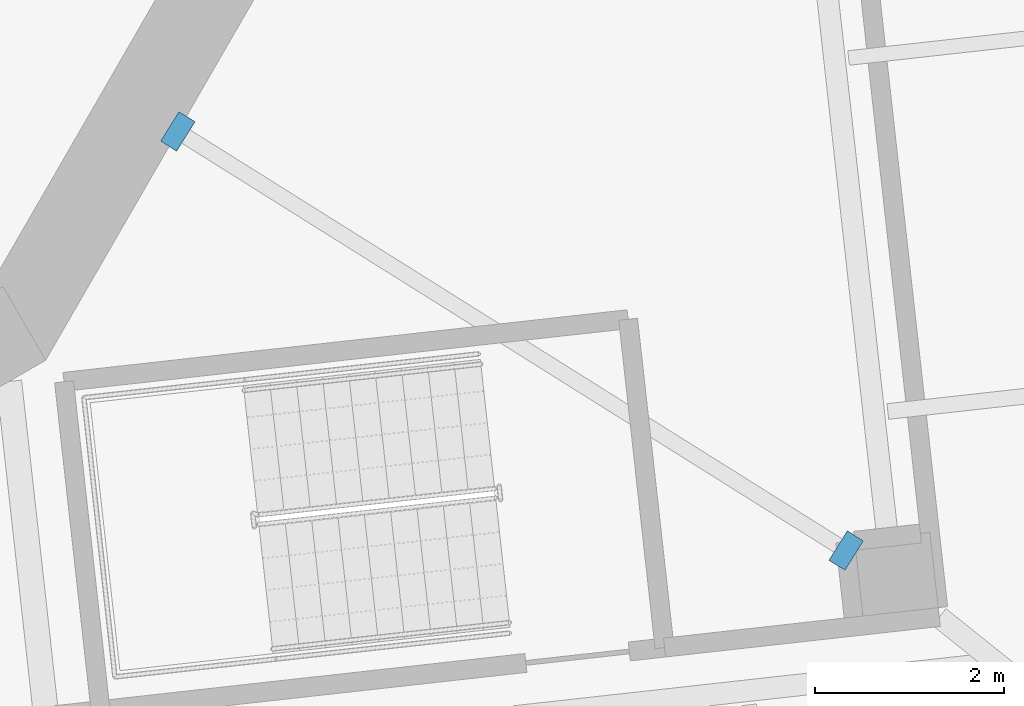
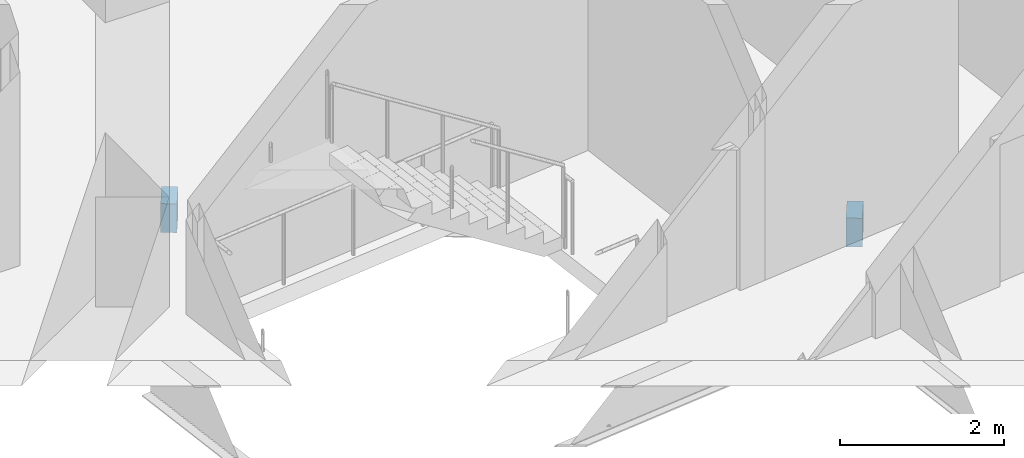
# One storey, part 11 of 19: 2 discrete accessories.
"""IFC4 building model written with IfcOpenShell, lengths in metres."""

import ifcopenshell
import ifcopenshell.guid

model = None  # the IFC model being written
_history = None  # IfcOwnerHistory: only IFC2X3 demands one
_inside = {}  # id of a spatial element -> (the spatial element, [elements in it])
_under = {}  # id of a project, library or spatial element -> (it, [spatial elements below it])
_declared = {}  # id of a project -> (the project, [libraries it declares])
_typed = {}  # id of a type object -> (the type object, [elements of that type])
_made_of = {}  # id of a material, layer set ... -> (it, [elements and type objects made of it])


def new_model(schema):
    """Start an empty IFC model of exactly this schema.

    Asked for "IFC4X3", IfcOpenShell would pick the latest addendum, in which some entities
    have other attributes; the version numbers below select the first issue.
    IFC2X3 requires an IfcOwnerHistory on every rooted entity: one is made here for all.
    """
    global model, _history
    if schema == "IFC4X3":
        model = ifcopenshell.file(schema_version=(4, 3, 0, 0))
    else:
        model = ifcopenshell.file(schema=schema)
    _inside.clear()
    _under.clear()
    _declared.clear()
    _typed.clear()
    _made_of.clear()
    _history = None
    if model.schema == "IFC2X3":
        org = make("IfcOrganization", Name="unknown")
        user = make(
            "IfcPersonAndOrganization",
            ThePerson=make("IfcPerson", FamilyName="unknown"),
            TheOrganization=org,
        )
        app = make(
            "IfcApplication",
            ApplicationDeveloper=org,
            Version="unknown",
            ApplicationFullName="unknown",
            ApplicationIdentifier="unknown",
        )
        _history = make(
            "IfcOwnerHistory",
            OwningUser=user,
            OwningApplication=app,
            ChangeAction="ADDED",
            CreationDate=0,
        )
    return model


def make(cls, **values):
    """One entity of the class cls with the attributes given. An attribute that is None is left unset."""
    return model.create_entity(
        cls, **{name: value for name, value in values.items() if value is not None}
    )


def rooted(cls, **values):
    """An entity with a GlobalId (a new one), such as an element, a storey or a relation."""
    return make(cls, GlobalId=ifcopenshell.guid.new(), OwnerHistory=_history, **values)


def si_unit(unit_type, name, prefix=None):
    """IfcSIUnit, for example si_unit("LENGTHUNIT", "METRE", prefix="MILLI")."""
    return make("IfcSIUnit", UnitType=unit_type, Prefix=prefix, Name=name)


def assignment(units):
    """IfcUnitAssignment: the units of a project."""
    return None if units is None else make("IfcUnitAssignment", Units=units)


def point(xyz):
    """IfcCartesianPoint."""
    return None if xyz is None else make("IfcCartesianPoint", Coordinates=xyz)


def direction(xyz):
    """IfcDirection."""
    return None if xyz is None else make("IfcDirection", DirectionRatios=xyz)


def frame(location, z_axis=None, x_axis=None):
    """IfcAxis2Placement3D, a coordinate frame: its origin and axes. An axis left out is left unset."""
    return make(
        "IfcAxis2Placement3D",
        Location=point(location),
        Axis=direction(z_axis),
        RefDirection=direction(x_axis),
    )


def origin():
    """The frame at (0, 0, 0) with its axes left unset."""
    return frame((0.0, 0.0, 0.0))


def place(relative_to, where):
    """IfcLocalPlacement: puts the frame where relative to a parent placement (None: the world)."""
    return make(
        "IfcLocalPlacement", PlacementRelTo=relative_to, RelativePlacement=where
    )


def context(
    kind, dimensions, precision=None, world=None, true_north=None, identifier=None
):
    """IfcGeometricRepresentationContext, for example the 3D "Model" context."""
    return make(
        "IfcGeometricRepresentationContext",
        ContextIdentifier=identifier,
        ContextType=kind,
        CoordinateSpaceDimension=dimensions,
        Precision=precision,
        WorldCoordinateSystem=world,
        TrueNorth=true_north,
    )


def subcontext(parent, identifier, kind, view, scale=None):
    """IfcGeometricRepresentationSubContext, for example "Body" below "Model"."""
    return make(
        "IfcGeometricRepresentationSubContext",
        ContextIdentifier=identifier,
        ContextType=kind,
        ParentContext=parent,
        TargetScale=scale,
        TargetView=view,
    )


def project(units=None, contexts=None):
    """IfcProject with its units and contexts."""
    return rooted(
        "IfcProject",
        Name="project",
        RepresentationContexts=contexts,
        UnitsInContext=assignment(units),
    )


def spatial(cls, under=None, at=None, **own):
    """A site, building, storey or space (cls), placed at a placement, below another one or the project."""
    s = rooted(cls, ObjectPlacement=at, **own)
    if under is not None:
        _under.setdefault(under.id(), (under, []))[1].append(s)
    return s


def polyline(points):
    """IfcPolyline through the points."""
    return make("IfcPolyline", Points=[point(p) for p in points])


def outline(outer, holes=None, kind="AREA"):
    """IfcArbitraryClosedProfileDef: a profile drawn as a closed curve; with holes, ...WithVoids."""
    if holes is None:
        return make("IfcArbitraryClosedProfileDef", ProfileType=kind, OuterCurve=outer)
    return make(
        "IfcArbitraryProfileDefWithVoids",
        ProfileType=kind,
        OuterCurve=outer,
        InnerCurves=holes,
    )


def extrude(swept, where, along, depth):
    """IfcExtrudedAreaSolid: the profile swept, set in the frame where, extruded along a direction by depth."""
    return make(
        "IfcExtrudedAreaSolid",
        SweptArea=swept,
        Position=where,
        ExtrudedDirection=direction(along),
        Depth=depth,
    )


def shape(context_of_items, identifier, shape_type, items):
    """IfcShapeRepresentation: the items that make up one representation, for example the "Body"."""
    return make(
        "IfcShapeRepresentation",
        ContextOfItems=context_of_items,
        RepresentationIdentifier=identifier,
        RepresentationType=shape_type,
        Items=items,
    )


def material(Name=None, Category=None):
    """IfcMaterial."""
    return make("IfcMaterial", Name=Name, Category=Category)


def layer(
    of_material, thickness, ventilated=None, Name=None, Category=None, Priority=None
):
    """IfcMaterialLayer: one layer of a wall or slab, of a material (None: an air gap)."""
    return make(
        "IfcMaterialLayer",
        Material=of_material,
        LayerThickness=thickness,
        IsVentilated=ventilated,
        Name=Name,
        Category=Category,
        Priority=Priority,
    )


def layer_set(layers, Name=None):
    """IfcMaterialLayerSet."""
    return make("IfcMaterialLayerSet", MaterialLayers=layers, LayerSetName=Name)


def made_of(thing, what):
    """Note that an element or type object is made of a material, layer set ...; save() writes the relation."""
    if what is not None:
        _made_of.setdefault(what.id(), (what, []))[1].append(thing)
    return thing


def type_object(cls, material=None, **own):
    """A type object (cls), such as IfcWallType, which elements share."""
    return made_of(rooted(cls, **own), material)


def element(
    cls,
    number,
    at=None,
    inside=None,
    cuts=None,
    type_object=None,
    material=None,
    context=None,
    identifier="Body",
    shape_type=None,
    held_by="IfcProductDefinitionShape",
    body=None,
    shapes=None,
    **own,
):
    """One element of the class cls, such as IfcWall. Its Tag is "e" and its number.

    at: its placement. inside: the storey or other place that contains it. cuts: it is an
    opening in that element (IfcRelVoidsElement). A single representation is given by context,
    identifier, shape_type and body (its items); several are given by shapes. held_by: the class
    of the entity that holds the representations. save() writes the other relations.
    """
    e = rooted(cls, Tag="e%d" % number, ObjectPlacement=at, **own)
    if body is not None:
        shapes = [shape(context, identifier, shape_type, body)]
    if shapes is not None:
        e.Representation = make(held_by, Representations=shapes)
    if inside is not None:
        _inside.setdefault(inside.id(), (inside, []))[1].append(e)
    if cuts is not None:
        rooted(
            "IfcRelVoidsElement", RelatingBuildingElement=cuts, RelatedOpeningElement=e
        )
    if type_object is not None:
        _typed.setdefault(type_object.id(), (type_object, []))[1].append(e)
    return made_of(e, material)


def aggregate(whole, parts):
    """IfcRelAggregates: a whole, such as a stair, and the parts it consists of."""
    return rooted("IfcRelAggregates", RelatingObject=whole, RelatedObjects=parts)


def save(model, path):
    """Write the relations noted so far, then the file.

    IfcRelAggregates (storeys below a building ...), IfcRelContainedInSpatialStructure (elements
    in a storey), IfcRelDefinesByType, IfcRelAssociatesMaterial and IfcRelDeclares: one each for
    every whole, place, type object, material and project.
    """
    for whole, parts in _under.values():
        aggregate(whole, parts)
    for where, things in _inside.values():
        rooted(
            "IfcRelContainedInSpatialStructure",
            RelatedElements=things,
            RelatingStructure=where,
        )
    for kind, things in _typed.values():
        rooted("IfcRelDefinesByType", RelatedObjects=things, RelatingType=kind)
    for what, things in _made_of.values():
        rooted("IfcRelAssociatesMaterial", RelatedObjects=things, RelatingMaterial=what)
    for by, libraries in _declared.values():
        rooted("IfcRelDeclares", RelatingContext=by, RelatedDefinitions=libraries)
    model.write(path)


model = new_model("IFC4")

# Units and contexts
model_context = context("Model", 3, precision=1e-05, world=origin(), true_north=direction((0.0, 1.0)))
body_context = subcontext(model_context, "Body", "Model", "MODEL_VIEW")
ifc_project = project(units=[si_unit("LENGTHUNIT", "METRE"), si_unit("AREAUNIT", "SQUARE_METRE"), si_unit("VOLUMEUNIT", "CUBIC_METRE"), si_unit("PLANEANGLEUNIT", "RADIAN"), si_unit("MASSUNIT", "GRAM", prefix="KILO")], contexts=[model_context])

# Site, building, storey
site_placement = place(None, origin())
site = spatial("IfcSite", under=ifc_project, at=site_placement, CompositionType="ELEMENT")
building_placement = place(site_placement, origin())
building = spatial("IfcBuilding", under=site, at=building_placement, Name="Cantera Rosa Tower", CompositionType="ELEMENT")
storey_placement = place(building_placement, frame((0.0, 0.0, 53.89990234375)))
storey = spatial("IfcBuildingStorey", under=building, at=storey_placement, Name="L10", CompositionType="ELEMENT", Elevation=53.89990234375)

# Discrete accessories
ifc_material = material(Name="Steel ASTM A992 (Fy 345 MPa)", Category="steel")
ifc_layer = layer(ifc_material, 0.0400390625)
ifc_layer_set = layer_set([ifc_layer], Name="STEEL BEARING PLATE 40")
discrete_accessory_type = type_object("IfcDiscreteAccessoryType", Name="STEEL BEARING PLATE 40", PredefinedType="ANCHORPLATE", material=ifc_layer_set)
discrete_accessory_1_placement = place(storey_placement, frame((0.0, 0.0, -0.727783203125)))
element("IfcDiscreteAccessory", 1, at=discrete_accessory_1_placement, inside=storey, type_object=discrete_accessory_type, Name="BEARING PLATE PG-Z1-01 end 1 L10", PredefinedType="ANCHORPLATE", context=body_context, shape_type="SweptSolid", body=[
    extrude(outline(polyline([(17.12060546875, -10.952392578125), (17.2900390625, -11.05859375), (17.484619140625, -10.74853515625), (17.315185546875, -10.642333984375), (17.12060546875, -10.952392578125)])), origin(), (0.0, 0.0, 1.0), 0.427978515625),
])
discrete_accessory_2_placement = place(storey_placement, frame((0.0, 0.0, -0.727783203125)))
element("IfcDiscreteAccessory", 2, at=discrete_accessory_2_placement, inside=storey, type_object=discrete_accessory_type, Name="BEARING PLATE PG-Z1-01 end 2 L10", PredefinedType="ANCHORPLATE", context=body_context, shape_type="SweptSolid", body=[
    extrude(outline(polyline([(10.41796875, -6.317138671875), (10.248291015625, -6.210693359375), (10.053955078125, -6.52099609375), (10.223388671875, -6.627197265625), (10.41796875, -6.317138671875)])), origin(), (0.0, 0.0, 1.0), 0.427978515625),
])

save(model, "model.ifc")
